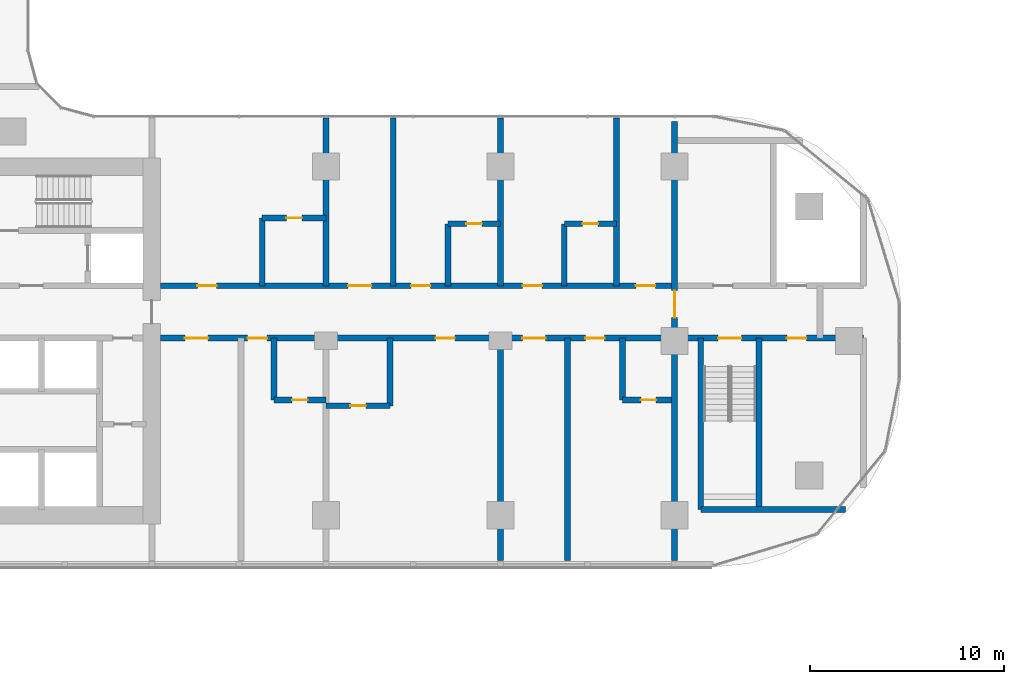
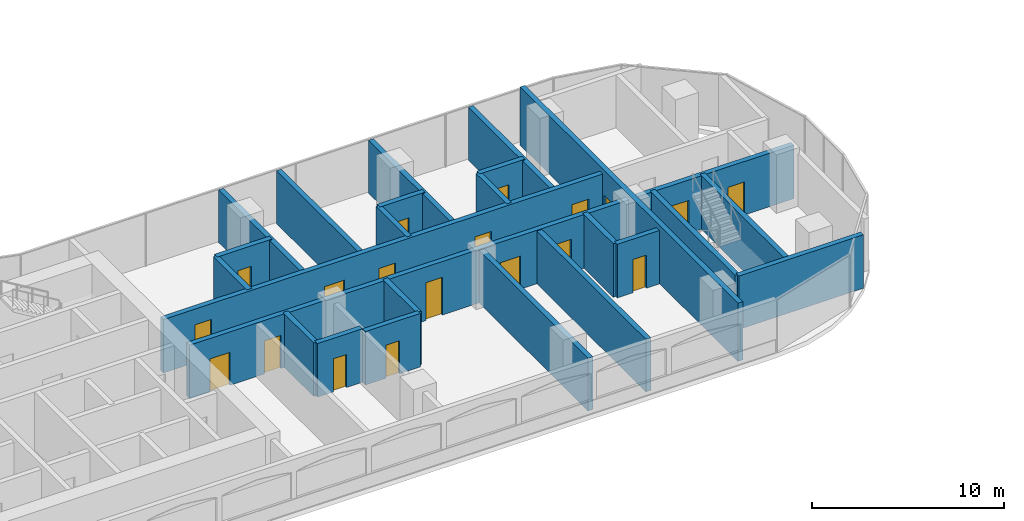
# One storey, part 19 of 34: 25 walls, 19 doors, 19 openings.
"""IFC4 building model written with IfcOpenShell, lengths in metres."""

from ifc_helpers import new_model, si_unit, direction, frame, frame_2d, origin, place, context, subcontext, project, spatial, rectangle, extrude, material, layer, layer_set, type_object, element, fill, save


model = new_model("IFC4")

# Units and contexts
model_context = context("Model", 3, precision=1e-05, world=origin(), true_north=direction((0.0, 1.0)))
body_context = subcontext(model_context, "Body", "Model", "MODEL_VIEW")
ifc_project = project(units=[si_unit("LENGTHUNIT", "METRE"), si_unit("AREAUNIT", "SQUARE_METRE"), si_unit("VOLUMEUNIT", "CUBIC_METRE"), si_unit("PLANEANGLEUNIT", "RADIAN"), si_unit("MASSUNIT", "GRAM", prefix="KILO")], contexts=[model_context])

# Site, building, storey
site_placement = place(None, origin())
site = spatial("IfcSite", under=ifc_project, at=site_placement, CompositionType="ELEMENT")
building_placement = place(site_placement, origin())
building = spatial("IfcBuilding", under=site, at=building_placement, Name="Ogive Portal Towers", CompositionType="ELEMENT")
storey_placement = place(building_placement, frame((0.0, 0.0, 66.800048828125)))
storey = spatial("IfcBuildingStorey", under=building, at=storey_placement, Name="L15", CompositionType="ELEMENT", Elevation=66.800048828125)

# Wall, opening, door
ifc_material_1 = material(Name="Concrete C60/75", Category="concrete")
ifc_layer_1 = layer(ifc_material_1, 0.300048828125)
ifc_layer_set_1 = layer_set([ifc_layer_1], Name="REVEAL WALL 300 C60")
wall_type_1 = type_object("IfcWallType", Name="REVEAL WALL 300 C60", PredefinedType="SHEAR", material=ifc_layer_set_1)
wall_1_placement = place(storey_placement, frame((85.5, 19.169921875, 0.0), z_axis=(0.0, 0.0, 1.0), x_axis=(0.0, 1.0, 0.0)))
wall_1 = element("IfcWall", 1, at=wall_1_placement, inside=storey, type_object=wall_type_1, Name="Portal reveal wall L15", PredefinedType="SHEAR", context=body_context, shape_type="SweptSolid", body=[
    extrude(rectangle(XDim=22.66015625, YDim=0.300048828125, at=frame_2d((11.330078125, 0.0))), origin(), (0.0, 0.0, 1.0), 3.699951171875),
])
opening_1_placement = place(wall_1_placement, frame((12.530029296875, 0.0, 0.0)))
opening_1 = element("IfcOpeningElement", 2, at=opening_1_placement, cuts=wall_1, Name="Opening D04-065", PredefinedType="OPENING", context=body_context, shape_type="SweptSolid", body=[
    extrude(rectangle(XDim=1.39990234375, YDim=2.10009765625, at=frame_2d((0.699951171875, 1.050048828125))), frame((0.0, 0.16015625, 0.0), z_axis=(0.0, -1.0, 0.0), x_axis=(1.0, 0.0, 0.0)), (0.0, 0.0, 1.0), 0.320068359375),
])
ifc_material_2 = material(Name="Steel fire door", Category="steel")
door_type_1 = type_object("IfcDoorType", Name="DT-STAIR-1400x2100-FD90S", OperationType="SINGLE_SWING_LEFT", PredefinedType="DOOR", material=ifc_material_2)
door_1_placement = place(opening_1_placement, origin())
door_1 = element("IfcDoor", 3, at=door_1_placement, inside=storey, type_object=door_type_1, Name="Door D04-065", OperationType="SINGLE_SWING_RIGHT", OverallHeight=2.10009765625, OverallWidth=1.39990234375, PredefinedType="DOOR", context=body_context, shape_type="SweptSolid", body=[
    extrude(rectangle(XDim=1.39990234375, YDim=2.10009765625, at=frame_2d((0.699951171875, 1.050048828125))), frame((0.0, 0.02490234375, 0.0), z_axis=(0.0, -1.0, 0.0), x_axis=(1.0, 0.0, 0.0)), (0.0, 0.0, 1.0), 0.050048828125),
])
fill(opening_1, door_1)

# Wall
ifc_material_3 = material(Name="Concrete C50/60", Category="concrete")
ifc_layer_2 = layer(ifc_material_3, 0.300048828125)
ifc_layer_set_2 = layer_set([ifc_layer_2], Name="STAIR WALL 300 C50")
wall_type_2 = type_object("IfcWallType", Name="STAIR WALL 300 C50", PredefinedType="SHEAR", material=ifc_layer_set_2)
wall_2_placement = place(storey_placement, frame((86.85009765625, 21.800048828125, 0.0), z_axis=(0.0, 0.0, 1.0), x_axis=(1.0, 0.0, 0.0)))
element("IfcWall", 4, at=wall_2_placement, inside=storey, type_object=wall_type_2, Name="Stair wall ST-A4 L15", PredefinedType="SHEAR", context=body_context, shape_type="SweptSolid", body=[
    extrude(rectangle(XDim=7.473876953125, YDim=0.300048828125, at=frame_2d((3.73681640625, 0.0))), origin(), (0.0, 0.0, 1.0), 3.39990234375),
])

# Wall, openings, doors
wall_3_placement = place(storey_placement, frame((85.669921875, 30.64990234375, 0.0), z_axis=(0.0, 0.0, 1.0), x_axis=(1.0, 0.0, 0.0)))
wall_3 = element("IfcWall", 5, at=wall_3_placement, inside=storey, type_object=wall_type_2, Name="Stair wall ST-A4 L15", PredefinedType="SHEAR", context=body_context, shape_type="SweptSolid", body=[
    extrude(rectangle(XDim=9.580078125, YDim=0.300048828125, at=frame_2d((4.7900390625, 0.0))), origin(), (0.0, 0.0, 1.0), 3.39990234375),
])
opening_2_placement = place(wall_3_placement, frame((2.080078125, 0.0, 0.0)))
opening_2 = element("IfcOpeningElement", 6, at=opening_2_placement, cuts=wall_3, Name="Opening D04-060", PredefinedType="OPENING", context=body_context, shape_type="SweptSolid", body=[
    extrude(rectangle(XDim=1.199951171875, YDim=2.10009765625, at=frame_2d((0.60009765625, 1.050048828125))), frame((0.0, 0.16015625, 0.0), z_axis=(0.0, -1.0, 0.0), x_axis=(1.0, 0.0, 0.0)), (0.0, 0.0, 1.0), 0.320068359375),
])
opening_3_placement = place(wall_3_placement, frame((5.6298828125, 0.0, 0.0)))
opening_3 = element("IfcOpeningElement", 7, at=opening_3_placement, cuts=wall_3, Name="Opening D04-063", PredefinedType="OPENING", context=body_context, shape_type="SweptSolid", body=[
    extrude(rectangle(XDim=1.0, YDim=2.10009765625, at=frame_2d((0.5, 1.050048828125))), frame((0.0, 0.16015625, 0.0), z_axis=(0.0, -1.0, 0.0), x_axis=(1.0, 0.0, 0.0)), (0.0, 0.0, 1.0), 0.320068359375),
])
door_type_2 = type_object("IfcDoorType", Name="DT-SERVICE-1000x2100-FD90S", OperationType="SINGLE_SWING_LEFT", PredefinedType="DOOR", material=ifc_material_2)
door_2_placement = place(opening_3_placement, origin())
door_2 = element("IfcDoor", 8, at=door_2_placement, inside=storey, type_object=door_type_2, Name="Door D04-063", OperationType="SINGLE_SWING_LEFT", OverallHeight=2.10009765625, OverallWidth=1.0, PredefinedType="DOOR", context=body_context, shape_type="SweptSolid", body=[
    extrude(rectangle(XDim=1.0, YDim=2.10009765625, at=frame_2d((0.5, 1.050048828125))), frame((0.0, 0.02490234375, 0.0), z_axis=(0.0, -1.0, 0.0), x_axis=(1.0, 0.0, 0.0)), (0.0, 0.0, 1.0), 0.050048828125),
])
fill(opening_3, door_2)
door_type_3 = type_object("IfcDoorType", Name="DT-STAIR-1200x2100-FD90S", OperationType="SINGLE_SWING_LEFT", PredefinedType="DOOR", material=ifc_material_2)
door_3_placement = place(opening_2_placement, origin())
door_3 = element("IfcDoor", 9, at=door_3_placement, inside=storey, type_object=door_type_3, Name="Door D04-060", OperationType="SINGLE_SWING_LEFT", OverallHeight=2.10009765625, OverallWidth=1.199951171875, PredefinedType="DOOR", context=body_context, shape_type="SweptSolid", body=[
    extrude(rectangle(XDim=1.199951171875, YDim=2.10009765625, at=frame_2d((0.60009765625, 1.050048828125))), frame((0.0, 0.02490234375, 0.0), z_axis=(0.0, -1.0, 0.0), x_axis=(1.0, 0.0, 0.0)), (0.0, 0.0, 1.0), 0.050048828125),
])
fill(opening_2, door_3)

# Walls
for number, where, z_axis, x_axis, name in (
    (10, (86.85009765625, 21.800048828125, 0.0), (0.0, 0.0, 1.0), (0.0, 1.0, 0.0), "Stair wall ST-A4 L15"),
    (11, (89.85009765625, 21.800048828125, 0.0), (0.0, 0.0, 1.0), (0.0, 1.0, 0.0), "Stair wall ST-A4 L15"),
):
    element("IfcWall", number, at=place(storey_placement, frame(where, z_axis=z_axis, x_axis=x_axis)), inside=storey, type_object=wall_type_2, Name=name, PredefinedType="SHEAR", context=body_context, shape_type="SweptSolid", body=[
        extrude(rectangle(XDim=8.849853515625, YDim=0.300048828125, at=frame_2d((4.4248046875, 0.0))), origin(), (0.0, 0.0, 1.0), 3.39990234375),
    ])

# Wall, openings, doors
ifc_material_4 = material(Name="Gypsum board partition on steel studs", Category="steel")
ifc_layer_3 = layer(ifc_material_4, 0.300048828125)
ifc_layer_set_3 = layer_set([ifc_layer_3], Name="WT-PART-300-EI 120")
wall_type_3 = type_object("IfcWallType", Name="WT-PART-300-EI 120", PredefinedType="PARTITIONING", material=ifc_layer_set_3)
wall_4_placement = place(storey_placement, frame((58.949951171875, 30.64990234375, 0.0), z_axis=(0.0, 0.0, 1.0), x_axis=(1.0, 0.0, 0.0)))
wall_4 = element("IfcWall", 12, at=wall_4_placement, inside=storey, type_object=wall_type_3, Name="Wall L15:w005", PredefinedType="PARTITIONING", context=body_context, shape_type="SweptSolid", body=[
    extrude(rectangle(XDim=26.380126953125, YDim=0.300048828125, at=frame_2d((13.18994140625, 0.0))), origin(), (0.0, 0.0, 1.0), 3.39990234375),
])
opening_4_placement = place(wall_4_placement, frame((1.25, 0.0, 0.0)))
opening_4 = element("IfcOpeningElement", 13, at=opening_4_placement, cuts=wall_4, Name="Opening D04-028", PredefinedType="OPENING", context=body_context, shape_type="SweptSolid", body=[
    extrude(rectangle(XDim=1.199951171875, YDim=2.10009765625, at=frame_2d((0.60009765625, 1.050048828125))), frame((0.0, 0.16015625, 0.0), z_axis=(0.0, -1.0, 0.0), x_axis=(1.0, 0.0, 0.0)), (0.0, 0.0, 1.0), 0.320068359375),
])
opening_5_placement = place(wall_4_placement, frame((4.5, 0.0, 0.0)))
opening_5 = element("IfcOpeningElement", 14, at=opening_5_placement, cuts=wall_4, Name="Opening D04-030", PredefinedType="OPENING", context=body_context, shape_type="SweptSolid", body=[
    extrude(rectangle(XDim=1.0, YDim=2.10009765625, at=frame_2d((0.5, 1.050048828125))), frame((0.0, 0.16015625, 0.0), z_axis=(0.0, -1.0, 0.0), x_axis=(1.0, 0.0, 0.0)), (0.0, 0.0, 1.0), 0.320068359375),
])
opening_6_placement = place(wall_4_placement, frame((14.199951171875, 0.0, 0.0)))
opening_6 = element("IfcOpeningElement", 15, at=opening_6_placement, cuts=wall_4, Name="Opening D04-035", PredefinedType="OPENING", context=body_context, shape_type="SweptSolid", body=[
    extrude(rectangle(XDim=1.0, YDim=2.39990234375, at=frame_2d((0.5, 1.199951171875))), frame((0.0, 0.16015625, 0.0), z_axis=(0.0, -1.0, 0.0), x_axis=(1.0, 0.0, 0.0)), (0.0, 0.0, 1.0), 0.320068359375),
])
opening_7_placement = place(wall_4_placement, frame((18.68505859375, 0.0, 0.0)))
opening_7 = element("IfcOpeningElement", 16, at=opening_7_placement, cuts=wall_4, Name="Opening D04-039", PredefinedType="OPENING", context=body_context, shape_type="SweptSolid", body=[
    extrude(rectangle(XDim=1.199951171875, YDim=2.10009765625, at=frame_2d((0.60009765625, 1.050048828125))), frame((0.0, 0.16015625, 0.0), z_axis=(0.0, -1.0, 0.0), x_axis=(1.0, 0.0, 0.0)), (0.0, 0.0, 1.0), 0.320068359375),
])
opening_8_placement = place(wall_4_placement, frame((21.93505859375, 0.0, 0.0)))
opening_8 = element("IfcOpeningElement", 17, at=opening_8_placement, cuts=wall_4, Name="Opening D04-041", PredefinedType="OPENING", context=body_context, shape_type="SweptSolid", body=[
    extrude(rectangle(XDim=1.0, YDim=2.10009765625, at=frame_2d((0.5, 1.050048828125))), frame((0.0, 0.16015625, 0.0), z_axis=(0.0, -1.0, 0.0), x_axis=(1.0, 0.0, 0.0)), (0.0, 0.0, 1.0), 0.320068359375),
])
door_type_4 = type_object("IfcDoorType", Name="DT-ENTRY-1000x2100-FD90S", OperationType="SINGLE_SWING_LEFT", PredefinedType="DOOR", material=ifc_material_2)
door_4_placement = place(opening_5_placement, origin())
door_4 = element("IfcDoor", 18, at=door_4_placement, inside=storey, type_object=door_type_4, Name="Door D04-030", OperationType="SINGLE_SWING_LEFT", OverallHeight=2.10009765625, OverallWidth=1.0, PredefinedType="DOOR", context=body_context, shape_type="SweptSolid", body=[
    extrude(rectangle(XDim=1.0, YDim=2.10009765625, at=frame_2d((0.5, 1.050048828125))), frame((0.0, 0.02490234375, 0.0), z_axis=(0.0, -1.0, 0.0), x_axis=(1.0, 0.0, 0.0)), (0.0, 0.0, 1.0), 0.050048828125),
])
fill(opening_5, door_4)
door_5_placement = place(opening_8_placement, origin())
door_5 = element("IfcDoor", 19, at=door_5_placement, inside=storey, type_object=door_type_4, Name="Door D04-041", OperationType="SINGLE_SWING_RIGHT", OverallHeight=2.10009765625, OverallWidth=1.0, PredefinedType="DOOR", context=body_context, shape_type="SweptSolid", body=[
    extrude(rectangle(XDim=1.0, YDim=2.10009765625, at=frame_2d((0.5, 1.050048828125))), frame((0.0, 0.02490234375, 0.0), z_axis=(0.0, -1.0, 0.0), x_axis=(1.0, 0.0, 0.0)), (0.0, 0.0, 1.0), 0.050048828125),
])
fill(opening_8, door_5)
door_type_5 = type_object("IfcDoorType", Name="DT-ENTRY-1000x2400-FD90S", OperationType="SINGLE_SWING_LEFT", PredefinedType="DOOR", material=ifc_material_2)
door_6_placement = place(opening_6_placement, origin())
door_6 = element("IfcDoor", 20, at=door_6_placement, inside=storey, type_object=door_type_5, Name="Door D04-035", OperationType="SINGLE_SWING_RIGHT", OverallHeight=2.39990234375, OverallWidth=1.0, PredefinedType="DOOR", context=body_context, shape_type="SweptSolid", body=[
    extrude(rectangle(XDim=1.0, YDim=2.39990234375, at=frame_2d((0.5, 1.199951171875))), frame((0.0, 0.02490234375, 0.0), z_axis=(0.0, -1.0, 0.0), x_axis=(1.0, 0.0, 0.0)), (0.0, 0.0, 1.0), 0.050048828125),
])
fill(opening_6, door_6)
door_type_6 = type_object("IfcDoorType", Name="DT-ENTRY-1200x2100-FD90S", OperationType="SINGLE_SWING_LEFT", PredefinedType="DOOR", material=ifc_material_2)
door_7_placement = place(opening_4_placement, origin())
door_7 = element("IfcDoor", 21, at=door_7_placement, inside=storey, type_object=door_type_6, Name="Door D04-028", OperationType="SINGLE_SWING_RIGHT", OverallHeight=2.10009765625, OverallWidth=1.199951171875, PredefinedType="DOOR", context=body_context, shape_type="SweptSolid", body=[
    extrude(rectangle(XDim=1.199951171875, YDim=2.10009765625, at=frame_2d((0.60009765625, 1.050048828125))), frame((0.0, 0.02490234375, 0.0), z_axis=(0.0, -1.0, 0.0), x_axis=(1.0, 0.0, 0.0)), (0.0, 0.0, 1.0), 0.050048828125),
])
fill(opening_4, door_7)
door_8_placement = place(opening_7_placement, origin())
door_8 = element("IfcDoor", 22, at=door_8_placement, inside=storey, type_object=door_type_6, Name="Door D04-039", OperationType="SINGLE_SWING_LEFT", OverallHeight=2.10009765625, OverallWidth=1.199951171875, PredefinedType="DOOR", context=body_context, shape_type="SweptSolid", body=[
    extrude(rectangle(XDim=1.199951171875, YDim=2.10009765625, at=frame_2d((0.60009765625, 1.050048828125))), frame((0.0, 0.02490234375, 0.0), z_axis=(0.0, -1.0, 0.0), x_axis=(1.0, 0.0, 0.0)), (0.0, 0.0, 1.0), 0.050048828125),
])
fill(opening_7, door_8)

wall_5_placement = place(storey_placement, frame((58.949951171875, 33.35009765625, 0.0), z_axis=(0.0, 0.0, 1.0), x_axis=(1.0, 0.0, 0.0)))
wall_5 = element("IfcWall", 23, at=wall_5_placement, inside=storey, type_object=wall_type_3, Name="Wall L15:w007", PredefinedType="PARTITIONING", context=body_context, shape_type="SweptSolid", body=[
    extrude(rectangle(XDim=26.380126953125, YDim=0.300048828125, at=frame_2d((13.18994140625, 0.0))), origin(), (0.0, 0.0, 1.0), 3.39990234375),
])
opening_9_placement = place(wall_5_placement, frame((1.89990234375, 0.0, 0.0)))
opening_9 = element("IfcOpeningElement", 24, at=opening_9_placement, cuts=wall_5, Name="Opening D04-027", PredefinedType="OPENING", context=body_context, shape_type="SweptSolid", body=[
    extrude(rectangle(XDim=1.0, YDim=2.39990234375, at=frame_2d((0.5, 1.199951171875))), frame((0.0, 0.16015625, 0.0), z_axis=(0.0, -1.0, 0.0), x_axis=(1.0, 0.0, 0.0)), (0.0, 0.0, 1.0), 0.320068359375),
])
opening_10_placement = place(wall_5_placement, frame((9.68505859375, 0.0, 0.0)))
opening_10 = element("IfcOpeningElement", 25, at=opening_10_placement, cuts=wall_5, Name="Opening D04-031", PredefinedType="OPENING", context=body_context, shape_type="SweptSolid", body=[
    extrude(rectangle(XDim=1.199951171875, YDim=2.10009765625, at=frame_2d((0.60009765625, 1.050048828125))), frame((0.0, 0.16015625, 0.0), z_axis=(0.0, -1.0, 0.0), x_axis=(1.0, 0.0, 0.0)), (0.0, 0.0, 1.0), 0.320068359375),
])
opening_11_placement = place(wall_5_placement, frame((12.93505859375, 0.0, 0.0)))
opening_11 = element("IfcOpeningElement", 26, at=opening_11_placement, cuts=wall_5, Name="Opening D04-033", PredefinedType="OPENING", context=body_context, shape_type="SweptSolid", body=[
    extrude(rectangle(XDim=1.0, YDim=2.10009765625, at=frame_2d((0.5, 1.050048828125))), frame((0.0, 0.16015625, 0.0), z_axis=(0.0, -1.0, 0.0), x_axis=(1.0, 0.0, 0.0)), (0.0, 0.0, 1.0), 0.320068359375),
])
opening_12_placement = place(wall_5_placement, frame((18.699951171875, 0.0, 0.0)))
opening_12 = element("IfcOpeningElement", 27, at=opening_12_placement, cuts=wall_5, Name="Opening D04-037", PredefinedType="OPENING", context=body_context, shape_type="SweptSolid", body=[
    extrude(rectangle(XDim=1.0, YDim=2.10009765625, at=frame_2d((0.5, 1.050048828125))), frame((0.0, 0.16015625, 0.0), z_axis=(0.0, -1.0, 0.0), x_axis=(1.0, 0.0, 0.0)), (0.0, 0.0, 1.0), 0.320068359375),
])
opening_13_placement = place(wall_5_placement, frame((24.550048828125, 0.0, 0.0)))
opening_13 = element("IfcOpeningElement", 28, at=opening_13_placement, cuts=wall_5, Name="Opening D04-038", PredefinedType="OPENING", context=body_context, shape_type="SweptSolid", body=[
    extrude(rectangle(XDim=1.0, YDim=2.10009765625, at=frame_2d((0.5, 1.050048828125))), frame((0.0, 0.16015625, 0.0), z_axis=(0.0, -1.0, 0.0), x_axis=(1.0, 0.0, 0.0)), (0.0, 0.0, 1.0), 0.320068359375),
])
door_9_placement = place(opening_11_placement, origin())
door_9 = element("IfcDoor", 29, at=door_9_placement, inside=storey, type_object=door_type_4, Name="Door D04-033", OperationType="SINGLE_SWING_LEFT", OverallHeight=2.10009765625, OverallWidth=1.0, PredefinedType="DOOR", context=body_context, shape_type="SweptSolid", body=[
    extrude(rectangle(XDim=1.0, YDim=2.10009765625, at=frame_2d((0.5, 1.050048828125))), frame((0.0, 0.02490234375, 0.0), z_axis=(0.0, -1.0, 0.0), x_axis=(1.0, 0.0, 0.0)), (0.0, 0.0, 1.0), 0.050048828125),
])
fill(opening_11, door_9)
door_10_placement = place(opening_12_placement, origin())
door_10 = element("IfcDoor", 30, at=door_10_placement, inside=storey, type_object=door_type_4, Name="Door D04-037", OperationType="SINGLE_SWING_LEFT", OverallHeight=2.10009765625, OverallWidth=1.0, PredefinedType="DOOR", context=body_context, shape_type="SweptSolid", body=[
    extrude(rectangle(XDim=1.0, YDim=2.10009765625, at=frame_2d((0.5, 1.050048828125))), frame((0.0, 0.02490234375, 0.0), z_axis=(0.0, -1.0, 0.0), x_axis=(1.0, 0.0, 0.0)), (0.0, 0.0, 1.0), 0.050048828125),
])
fill(opening_12, door_10)
door_11_placement = place(opening_13_placement, origin())
door_11 = element("IfcDoor", 31, at=door_11_placement, inside=storey, type_object=door_type_4, Name="Door D04-038", OperationType="SINGLE_SWING_LEFT", OverallHeight=2.10009765625, OverallWidth=1.0, PredefinedType="DOOR", context=body_context, shape_type="SweptSolid", body=[
    extrude(rectangle(XDim=1.0, YDim=2.10009765625, at=frame_2d((0.5, 1.050048828125))), frame((0.0, 0.02490234375, 0.0), z_axis=(0.0, -1.0, 0.0), x_axis=(1.0, 0.0, 0.0)), (0.0, 0.0, 1.0), 0.050048828125),
])
fill(opening_13, door_11)
door_12_placement = place(opening_9_placement, origin())
door_12 = element("IfcDoor", 32, at=door_12_placement, inside=storey, type_object=door_type_5, Name="Door D04-027", OperationType="SINGLE_SWING_LEFT", OverallHeight=2.39990234375, OverallWidth=1.0, PredefinedType="DOOR", context=body_context, shape_type="SweptSolid", body=[
    extrude(rectangle(XDim=1.0, YDim=2.39990234375, at=frame_2d((0.5, 1.199951171875))), frame((0.0, 0.02490234375, 0.0), z_axis=(0.0, -1.0, 0.0), x_axis=(1.0, 0.0, 0.0)), (0.0, 0.0, 1.0), 0.050048828125),
])
fill(opening_9, door_12)
door_13_placement = place(opening_10_placement, origin())
door_13 = element("IfcDoor", 33, at=door_13_placement, inside=storey, type_object=door_type_6, Name="Door D04-031", OperationType="SINGLE_SWING_RIGHT", OverallHeight=2.10009765625, OverallWidth=1.199951171875, PredefinedType="DOOR", context=body_context, shape_type="SweptSolid", body=[
    extrude(rectangle(XDim=1.199951171875, YDim=2.10009765625, at=frame_2d((0.60009765625, 1.050048828125))), frame((0.0, 0.02490234375, 0.0), z_axis=(0.0, -1.0, 0.0), x_axis=(1.0, 0.0, 0.0)), (0.0, 0.0, 1.0), 0.050048828125),
])
fill(opening_10, door_13)

# Wall, opening, door
ifc_layer_4 = layer(ifc_material_4, 0.300048828125)
ifc_layer_set_4 = layer_set([ifc_layer_4], Name="WT-PART-300-EI 60")
wall_type_4 = type_object("IfcWallType", Name="WT-PART-300-EI 60", PredefinedType="PARTITIONING", material=ifc_layer_set_4)
wall_6_placement = place(storey_placement, frame((67.5, 27.14990234375, 0.0), z_axis=(0.0, 0.0, 1.0), x_axis=(1.0, 0.0, 0.0)))
wall_6 = element("IfcWall", 34, at=wall_6_placement, inside=storey, type_object=wall_type_4, Name="Wall L15:w002", PredefinedType="PARTITIONING", context=body_context, shape_type="SweptSolid", body=[
    extrude(rectangle(XDim=3.300048828125, YDim=0.300048828125, at=frame_2d((1.64990234375, 0.0))), origin(), (0.0, 0.0, 1.0), 3.39990234375),
])
opening_14_placement = place(wall_6_placement, frame((1.25, 0.0, 0.0)))
opening_14 = element("IfcOpeningElement", 35, at=opening_14_placement, cuts=wall_6, Name="Opening D04-034", PredefinedType="OPENING", context=body_context, shape_type="SweptSolid", body=[
    extrude(rectangle(XDim=0.800048828125, YDim=2.10009765625, at=frame_2d((0.39990234375, 1.050048828125))), frame((0.0, 0.16015625, 0.0), z_axis=(0.0, -1.0, 0.0), x_axis=(1.0, 0.0, 0.0)), (0.0, 0.0, 1.0), 0.320068359375),
])
door_type_7 = type_object("IfcDoorType", Name="DT-BATH-800x2100-FD60S", OperationType="SINGLE_SWING_LEFT", PredefinedType="DOOR", material=ifc_material_2)
door_14_placement = place(opening_14_placement, origin())
door_14 = element("IfcDoor", 36, at=door_14_placement, inside=storey, type_object=door_type_7, Name="Door D04-034", OperationType="SINGLE_SWING_LEFT", OverallHeight=2.10009765625, OverallWidth=0.800048828125, PredefinedType="DOOR", context=body_context, shape_type="SweptSolid", body=[
    extrude(rectangle(XDim=0.800048828125, YDim=2.10009765625, at=frame_2d((0.39990234375, 1.050048828125))), frame((0.0, 0.02490234375, 0.0), z_axis=(0.0, -1.0, 0.0), x_axis=(1.0, 0.0, 0.0)), (0.0, 0.0, 1.0), 0.050048828125),
])
fill(opening_14, door_14)

wall_7_placement = place(storey_placement, frame((64.800048828125, 27.449951171875, 0.0), z_axis=(0.0, 0.0, 1.0), x_axis=(1.0, 0.0, 0.0)))
wall_7 = element("IfcWall", 37, at=wall_7_placement, inside=storey, type_object=wall_type_4, Name="Wall L15:w003", PredefinedType="PARTITIONING", context=body_context, shape_type="SweptSolid", body=[
    extrude(rectangle(XDim=2.699951171875, YDim=0.300048828125, at=frame_2d((1.35009765625, 0.0))), origin(), (0.0, 0.0, 1.0), 3.39990234375),
])
opening_15_placement = place(wall_7_placement, frame((0.949951171875, 0.0, 0.0)))
opening_15 = element("IfcOpeningElement", 38, at=opening_15_placement, cuts=wall_7, Name="Opening D04-029", PredefinedType="OPENING", context=body_context, shape_type="SweptSolid", body=[
    extrude(rectangle(XDim=0.800048828125, YDim=2.10009765625, at=frame_2d((0.39990234375, 1.050048828125))), frame((0.0, 0.16015625, 0.0), z_axis=(0.0, -1.0, 0.0), x_axis=(1.0, 0.0, 0.0)), (0.0, 0.0, 1.0), 0.320068359375),
])
door_15_placement = place(opening_15_placement, origin())
door_15 = element("IfcDoor", 39, at=door_15_placement, inside=storey, type_object=door_type_7, Name="Door D04-029", OperationType="SINGLE_SWING_LEFT", OverallHeight=2.10009765625, OverallWidth=0.800048828125, PredefinedType="DOOR", context=body_context, shape_type="SweptSolid", body=[
    extrude(rectangle(XDim=0.800048828125, YDim=2.10009765625, at=frame_2d((0.39990234375, 1.050048828125))), frame((0.0, 0.02490234375, 0.0), z_axis=(0.0, -1.0, 0.0), x_axis=(1.0, 0.0, 0.0)), (0.0, 0.0, 1.0), 0.050048828125),
])
fill(opening_15, door_15)

wall_8_placement = place(storey_placement, frame((82.800048828125, 27.449951171875, 0.0), z_axis=(0.0, 0.0, 1.0), x_axis=(1.0, 0.0, 0.0)))
wall_8 = element("IfcWall", 40, at=wall_8_placement, inside=storey, type_object=wall_type_4, Name="Wall L15:w004", PredefinedType="PARTITIONING", context=body_context, shape_type="SweptSolid", body=[
    extrude(rectangle(XDim=2.530029296875, YDim=0.300048828125, at=frame_2d((1.26513671875, 0.0))), origin(), (0.0, 0.0, 1.0), 3.39990234375),
])
opening_16_placement = place(wall_8_placement, frame((0.949951171875, 0.0, 0.0)))
opening_16 = element("IfcOpeningElement", 41, at=opening_16_placement, cuts=wall_8, Name="Opening D04-040", PredefinedType="OPENING", context=body_context, shape_type="SweptSolid", body=[
    extrude(rectangle(XDim=0.800048828125, YDim=2.10009765625, at=frame_2d((0.39990234375, 1.050048828125))), frame((0.0, 0.16015625, 0.0), z_axis=(0.0, -1.0, 0.0), x_axis=(1.0, 0.0, 0.0)), (0.0, 0.0, 1.0), 0.320068359375),
])
door_16_placement = place(opening_16_placement, origin())
door_16 = element("IfcDoor", 42, at=door_16_placement, inside=storey, type_object=door_type_7, Name="Door D04-040", OperationType="SINGLE_SWING_LEFT", OverallHeight=2.10009765625, OverallWidth=0.800048828125, PredefinedType="DOOR", context=body_context, shape_type="SweptSolid", body=[
    extrude(rectangle(XDim=0.800048828125, YDim=2.10009765625, at=frame_2d((0.39990234375, 1.050048828125))), frame((0.0, 0.02490234375, 0.0), z_axis=(0.0, -1.0, 0.0), x_axis=(1.0, 0.0, 0.0)), (0.0, 0.0, 1.0), 0.050048828125),
])
fill(opening_16, door_16)

wall_9_placement = place(storey_placement, frame((73.800048828125, 36.550048828125, 0.0), z_axis=(0.0, 0.0, 1.0), x_axis=(1.0, 0.0, 0.0)))
wall_9 = element("IfcWall", 43, at=wall_9_placement, inside=storey, type_object=wall_type_4, Name="Wall L15:w009", PredefinedType="PARTITIONING", context=body_context, shape_type="SweptSolid", body=[
    extrude(rectangle(XDim=2.699951171875, YDim=0.300048828125, at=frame_2d((1.35009765625, 0.0))), origin(), (0.0, 0.0, 1.0), 3.39990234375),
])
opening_17_placement = place(wall_9_placement, frame((0.949951171875, 0.0, 0.0)))
opening_17 = element("IfcOpeningElement", 44, at=opening_17_placement, cuts=wall_9, Name="Opening D04-032", PredefinedType="OPENING", context=body_context, shape_type="SweptSolid", body=[
    extrude(rectangle(XDim=0.800048828125, YDim=2.10009765625, at=frame_2d((0.39990234375, 1.050048828125))), frame((0.0, 0.16015625, 0.0), z_axis=(0.0, -1.0, 0.0), x_axis=(1.0, 0.0, 0.0)), (0.0, 0.0, 1.0), 0.320068359375),
])
door_17_placement = place(opening_17_placement, origin())
door_17 = element("IfcDoor", 45, at=door_17_placement, inside=storey, type_object=door_type_7, Name="Door D04-032", OperationType="SINGLE_SWING_LEFT", OverallHeight=2.10009765625, OverallWidth=0.800048828125, PredefinedType="DOOR", context=body_context, shape_type="SweptSolid", body=[
    extrude(rectangle(XDim=0.800048828125, YDim=2.10009765625, at=frame_2d((0.39990234375, 1.050048828125))), frame((0.0, 0.02490234375, 0.0), z_axis=(0.0, -1.0, 0.0), x_axis=(1.0, 0.0, 0.0)), (0.0, 0.0, 1.0), 0.050048828125),
])
fill(opening_17, door_17)

wall_10_placement = place(storey_placement, frame((79.800048828125, 36.550048828125, 0.0), z_axis=(0.0, 0.0, 1.0), x_axis=(1.0, 0.0, 0.0)))
wall_10 = element("IfcWall", 46, at=wall_10_placement, inside=storey, type_object=wall_type_4, Name="Wall L15:w010", PredefinedType="PARTITIONING", context=body_context, shape_type="SweptSolid", body=[
    extrude(rectangle(XDim=2.699951171875, YDim=0.300048828125, at=frame_2d((1.35009765625, 0.0))), origin(), (0.0, 0.0, 1.0), 3.39990234375),
])
opening_18_placement = place(wall_10_placement, frame((0.949951171875, 0.0, 0.0)))
opening_18 = element("IfcOpeningElement", 47, at=opening_18_placement, cuts=wall_10, Name="Opening D04-036", PredefinedType="OPENING", context=body_context, shape_type="SweptSolid", body=[
    extrude(rectangle(XDim=0.800048828125, YDim=2.10009765625, at=frame_2d((0.39990234375, 1.050048828125))), frame((0.0, 0.16015625, 0.0), z_axis=(0.0, -1.0, 0.0), x_axis=(1.0, 0.0, 0.0)), (0.0, 0.0, 1.0), 0.320068359375),
])
door_18_placement = place(opening_18_placement, origin())
door_18 = element("IfcDoor", 48, at=door_18_placement, inside=storey, type_object=door_type_7, Name="Door D04-036", OperationType="SINGLE_SWING_RIGHT", OverallHeight=2.10009765625, OverallWidth=0.800048828125, PredefinedType="DOOR", context=body_context, shape_type="SweptSolid", body=[
    extrude(rectangle(XDim=0.800048828125, YDim=2.10009765625, at=frame_2d((0.39990234375, 1.050048828125))), frame((0.0, 0.02490234375, 0.0), z_axis=(0.0, -1.0, 0.0), x_axis=(1.0, 0.0, 0.0)), (0.0, 0.0, 1.0), 0.050048828125),
])
fill(opening_18, door_18)

wall_11_placement = place(storey_placement, frame((64.199951171875, 36.85009765625, 0.0), z_axis=(0.0, 0.0, 1.0), x_axis=(1.0, 0.0, 0.0)))
wall_11 = element("IfcWall", 49, at=wall_11_placement, inside=storey, type_object=wall_type_4, Name="Wall L15:w011", PredefinedType="PARTITIONING", context=body_context, shape_type="SweptSolid", body=[
    extrude(rectangle(XDim=3.300048828125, YDim=0.300048828125, at=frame_2d((1.64990234375, 0.0))), origin(), (0.0, 0.0, 1.0), 3.39990234375),
])
opening_19_placement = place(wall_11_placement, frame((1.25, 0.0, 0.0)))
opening_19 = element("IfcOpeningElement", 50, at=opening_19_placement, cuts=wall_11, Name="Opening D04-026", PredefinedType="OPENING", context=body_context, shape_type="SweptSolid", body=[
    extrude(rectangle(XDim=0.800048828125, YDim=2.10009765625, at=frame_2d((0.39990234375, 1.050048828125))), frame((0.0, 0.16015625, 0.0), z_axis=(0.0, -1.0, 0.0), x_axis=(1.0, 0.0, 0.0)), (0.0, 0.0, 1.0), 0.320068359375),
])
door_19_placement = place(opening_19_placement, origin())
door_19 = element("IfcDoor", 51, at=door_19_placement, inside=storey, type_object=door_type_7, Name="Door D04-026", OperationType="SINGLE_SWING_LEFT", OverallHeight=2.10009765625, OverallWidth=0.800048828125, PredefinedType="DOOR", context=body_context, shape_type="SweptSolid", body=[
    extrude(rectangle(XDim=0.800048828125, YDim=2.10009765625, at=frame_2d((0.39990234375, 1.050048828125))), frame((0.0, 0.02490234375, 0.0), z_axis=(0.0, -1.0, 0.0), x_axis=(1.0, 0.0, 0.0)), (0.0, 0.0, 1.0), 0.050048828125),
])
fill(opening_19, door_19)

# Walls
wall_12_placement = place(storey_placement, frame((64.199951171875, 33.35009765625, 0.0), z_axis=(0.0, 0.0, 1.0), x_axis=(0.0, 1.0, 0.0)))
element("IfcWall", 52, at=wall_12_placement, inside=storey, type_object=wall_type_4, Name="Wall L15:w049", PredefinedType="PARTITIONING", context=body_context, shape_type="SweptSolid", body=[
    extrude(rectangle(XDim=3.5, YDim=0.300048828125, at=frame_2d((1.75, 0.0))), origin(), (0.0, 0.0, 1.0), 3.39990234375),
])
wall_13_placement = place(storey_placement, frame((64.800048828125, 27.449951171875, 0.0), z_axis=(0.0, 0.0, 1.0), x_axis=(0.0, 1.0, 0.0)))
element("IfcWall", 53, at=wall_13_placement, inside=storey, type_object=wall_type_4, Name="Wall L15:w050", PredefinedType="PARTITIONING", context=body_context, shape_type="SweptSolid", body=[
    extrude(rectangle(XDim=3.199951171875, YDim=0.300048828125, at=frame_2d((1.60009765625, 0.0))), origin(), (0.0, 0.0, 1.0), 3.39990234375),
])
wall_14_placement = place(storey_placement, frame((67.5, 33.35009765625, 0.0), z_axis=(0.0, 0.0, 1.0), x_axis=(0.0, 1.0, 0.0)))
element("IfcWall", 54, at=wall_14_placement, inside=storey, type_object=wall_type_4, Name="Wall L15:w052", PredefinedType="PARTITIONING", context=body_context, shape_type="SweptSolid", body=[
    extrude(rectangle(XDim=8.659912109375, YDim=0.300048828125, at=frame_2d((4.330078125, 0.0))), origin(), (0.0, 0.0, 1.0), 3.349853515625),
])
wall_15_placement = place(storey_placement, frame((70.800048828125, 27.14990234375, 0.0), z_axis=(0.0, 0.0, 1.0), x_axis=(0.0, 1.0, 0.0)))
element("IfcWall", 55, at=wall_15_placement, inside=storey, type_object=wall_type_4, Name="Wall L15:w053", PredefinedType="PARTITIONING", context=body_context, shape_type="SweptSolid", body=[
    extrude(rectangle(XDim=3.5, YDim=0.300048828125, at=frame_2d((1.75, 0.0))), origin(), (0.0, 0.0, 1.0), 3.39990234375),
])
wall_16_placement = place(storey_placement, frame((70.969970703125, 33.35009765625, 0.0), z_axis=(0.0, 0.0, 1.0), x_axis=(0.0, 1.0, 0.0)))
element("IfcWall", 56, at=wall_16_placement, inside=storey, type_object=wall_type_4, Name="Wall L15:w054", PredefinedType="PARTITIONING", context=body_context, shape_type="SweptSolid", body=[
    extrude(rectangle(XDim=8.659912109375, YDim=0.300048828125, at=frame_2d((4.330078125, 0.0))), origin(), (0.0, 0.0, 1.0), 3.349853515625),
])
wall_17_placement = place(storey_placement, frame((73.800048828125, 33.35009765625, 0.0), z_axis=(0.0, 0.0, 1.0), x_axis=(0.0, 1.0, 0.0)))
element("IfcWall", 57, at=wall_17_placement, inside=storey, type_object=wall_type_4, Name="Wall L15:w055", PredefinedType="PARTITIONING", context=body_context, shape_type="SweptSolid", body=[
    extrude(rectangle(XDim=3.199951171875, YDim=0.300048828125, at=frame_2d((1.60009765625, 0.0))), origin(), (0.0, 0.0, 1.0), 3.39990234375),
])
wall_18_placement = place(storey_placement, frame((76.5, 19.169921875, 0.0), z_axis=(0.0, 0.0, 1.0), x_axis=(0.0, 1.0, 0.0)))
element("IfcWall", 58, at=wall_18_placement, inside=storey, type_object=wall_type_4, Name="Wall L15:w056", PredefinedType="PARTITIONING", context=body_context, shape_type="SweptSolid", body=[
    extrude(rectangle(XDim=11.47998046875, YDim=0.300048828125, at=frame_2d((5.739990234375, 0.0))), origin(), (0.0, 0.0, 1.0), 3.349853515625),
])
wall_19_placement = place(storey_placement, frame((76.5, 33.35009765625, 0.0), z_axis=(0.0, 0.0, 1.0), x_axis=(0.0, 1.0, 0.0)))
element("IfcWall", 59, at=wall_19_placement, inside=storey, type_object=wall_type_4, Name="Wall L15:w057", PredefinedType="PARTITIONING", context=body_context, shape_type="SweptSolid", body=[
    extrude(rectangle(XDim=8.659912109375, YDim=0.300048828125, at=frame_2d((4.330078125, 0.0))), origin(), (0.0, 0.0, 1.0), 3.349853515625),
])
wall_20_placement = place(storey_placement, frame((79.800048828125, 33.35009765625, 0.0), z_axis=(0.0, 0.0, 1.0), x_axis=(0.0, 1.0, 0.0)))
element("IfcWall", 60, at=wall_20_placement, inside=storey, type_object=wall_type_4, Name="Wall L15:w058", PredefinedType="PARTITIONING", context=body_context, shape_type="SweptSolid", body=[
    extrude(rectangle(XDim=3.199951171875, YDim=0.300048828125, at=frame_2d((1.60009765625, 0.0))), origin(), (0.0, 0.0, 1.0), 3.39990234375),
])
wall_21_placement = place(storey_placement, frame((79.969970703125, 19.169921875, 0.0), z_axis=(0.0, 0.0, 1.0), x_axis=(0.0, 1.0, 0.0)))
element("IfcWall", 61, at=wall_21_placement, inside=storey, type_object=wall_type_4, Name="Wall L15:w059", PredefinedType="PARTITIONING", context=body_context, shape_type="SweptSolid", body=[
    extrude(rectangle(XDim=11.47998046875, YDim=0.300048828125, at=frame_2d((5.739990234375, 0.0))), origin(), (0.0, 0.0, 1.0), 3.349853515625),
])
wall_22_placement = place(storey_placement, frame((82.5, 33.35009765625, 0.0), z_axis=(0.0, 0.0, 1.0), x_axis=(0.0, 1.0, 0.0)))
element("IfcWall", 62, at=wall_22_placement, inside=storey, type_object=wall_type_4, Name="Wall L15:w060", PredefinedType="PARTITIONING", context=body_context, shape_type="SweptSolid", body=[
    extrude(rectangle(XDim=8.659912109375, YDim=0.300048828125, at=frame_2d((4.330078125, 0.0))), origin(), (0.0, 0.0, 1.0), 3.349853515625),
])
wall_23_placement = place(storey_placement, frame((82.800048828125, 27.449951171875, 0.0), z_axis=(0.0, 0.0, 1.0), x_axis=(0.0, 1.0, 0.0)))
element("IfcWall", 63, at=wall_23_placement, inside=storey, type_object=wall_type_4, Name="Wall L15:w061", PredefinedType="PARTITIONING", context=body_context, shape_type="SweptSolid", body=[
    extrude(rectangle(XDim=3.199951171875, YDim=0.300048828125, at=frame_2d((1.60009765625, 0.0))), origin(), (0.0, 0.0, 1.0), 3.39990234375),
])

save(model, "model.ifc")
